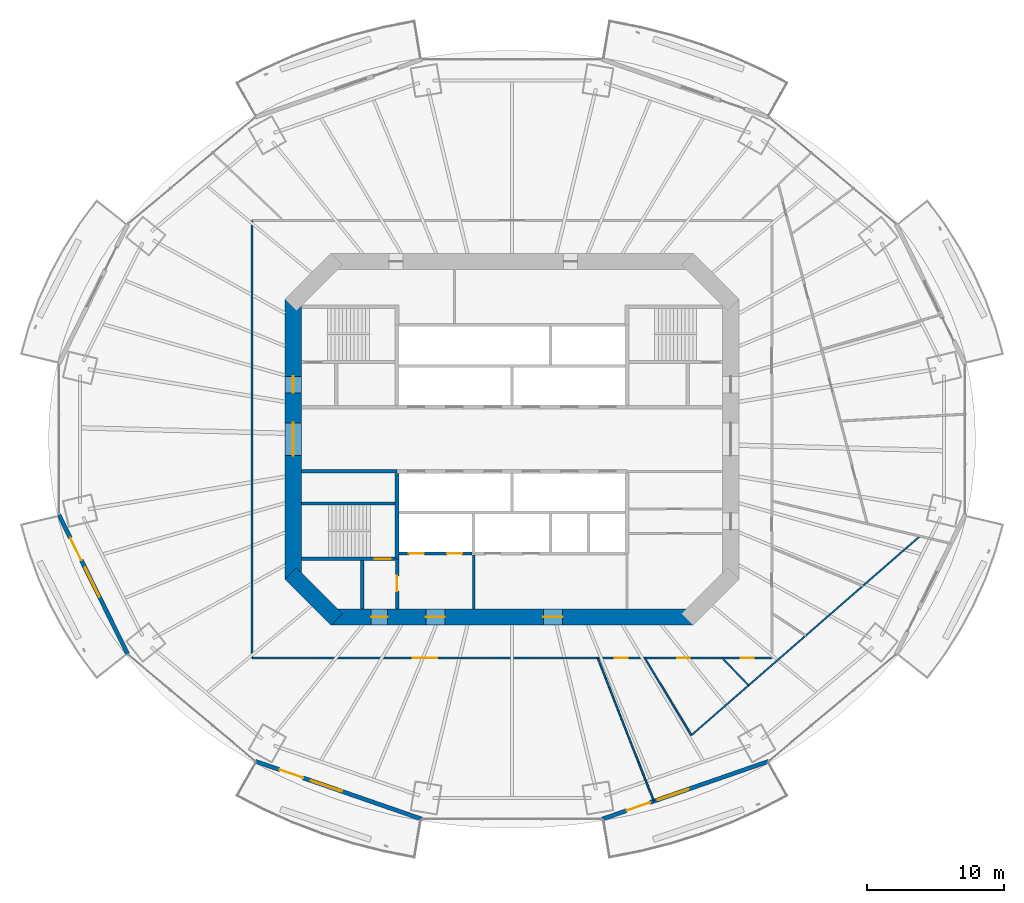
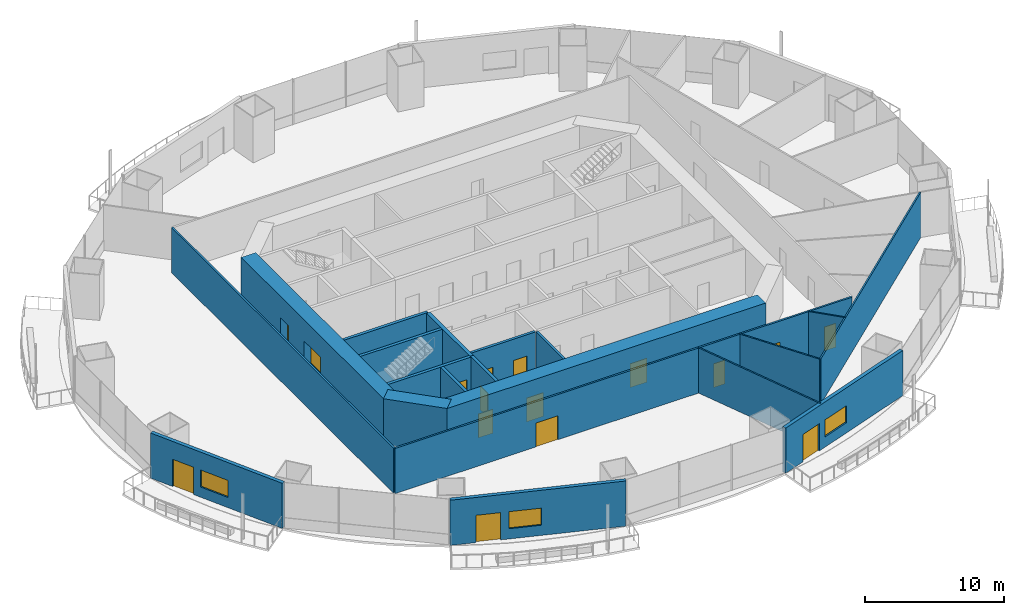
# One storey, part 13 of 21: 20 walls, 16 doors, 3 windows, 19 openings.
"""IFC4 building model written with IfcOpenShell, lengths in metres."""

from ifc_helpers import new_model, si_unit, direction, frame, frame_2d, origin, place, context, subcontext, project, spatial, rectangle, extrude, material, layer, layer_set, type_object, element, fill, save


model = new_model("IFC4")

# Units and contexts
model_context = context("Model", 3, precision=1e-05, world=origin(), true_north=direction((0.0, 1.0)))
body_context = subcontext(model_context, "Body", "Model", "MODEL_VIEW")
ifc_project = project(units=[si_unit("LENGTHUNIT", "METRE"), si_unit("AREAUNIT", "SQUARE_METRE"), si_unit("VOLUMEUNIT", "CUBIC_METRE"), si_unit("PLANEANGLEUNIT", "RADIAN"), si_unit("MASSUNIT", "GRAM", prefix="KILO")], contexts=[model_context])

# Site, building, storey
site_placement = place(None, origin())
site = spatial("IfcSite", under=ifc_project, at=site_placement, CompositionType="ELEMENT")
building_placement = place(site_placement, origin())
building = spatial("IfcBuilding", under=site, at=building_placement, Name="Marenthal Gate Tower", CompositionType="ELEMENT")
storey_placement = place(building_placement, frame((0.0, 0.0, 124.300048828125)))
storey = spatial("IfcBuildingStorey", under=building, at=storey_placement, Name="L26", CompositionType="ELEMENT", Elevation=124.300048828125)

# Wall, openings, doors
ifc_material_1 = material(Name="Concrete 60 MPa", Category="concrete")
ifc_layer_1 = layer(ifc_material_1, 1.199951171875)
ifc_layer_set_1 = layer_set([ifc_layer_1], Name="Core shear wall 1200")
wall_type_1 = type_object("IfcWallType", Name="Core shear wall 1200", PredefinedType="SHEAR", material=ifc_layer_set_1)
wall_1_placement = place(storey_placement, frame((-16.0, 10.24853515625, -0.179931640625), z_axis=(0.0, 0.0, 1.0), x_axis=(0.0, -1.0, 0.0)))
wall_1 = element("IfcWall", 1, at=wall_1_placement, inside=storey, type_object=wall_type_1, Name="Core wall 06", PredefinedType="SHEAR", context=body_context, shape_type="SweptSolid", body=[
    extrude(rectangle(XDim=20.4970703125, YDim=1.199951171875, at=frame_2d((10.24853515625, 0.0))), origin(), (0.0, 0.0, 1.0), 4.14990234375),
])
opening_1_placement = place(wall_1_placement, frame((9.048583984375, 0.0, 0.179931640625)))
opening_1 = element("IfcOpeningElement", 2, at=opening_1_placement, cuts=wall_1, Name="Opening D003.01", PredefinedType="OPENING", context=body_context, shape_type="SweptSolid", body=[
    extrude(rectangle(XDim=2.39990234375, YDim=2.10009765625, at=frame_2d((1.199951171875, 1.050048828125))), frame((0.0, 0.60986328125, 0.0), z_axis=(0.0, -1.0, 0.0), x_axis=(1.0, 0.0, 0.0)), (0.0, 0.0, 1.0), 1.219970703125),
])
opening_2_placement = place(wall_1_placement, frame((5.6484375, 0.0, 0.179931640625)))
opening_2 = element("IfcOpeningElement", 3, at=opening_2_placement, cuts=wall_1, Name="Opening D001.04", PredefinedType="OPENING", context=body_context, shape_type="SweptSolid", body=[
    extrude(rectangle(XDim=1.199951171875, YDim=2.10009765625, at=frame_2d((0.60009765625, 1.050048828125))), frame((0.0, 0.60986328125, 0.0), z_axis=(0.0, -1.0, 0.0), x_axis=(1.0, 0.0, 0.0)), (0.0, 0.0, 1.0), 1.219970703125),
])
ifc_material_2 = material(Name="Steel fire door", Category="steel")
door_type_1 = type_object("IfcDoorType", Name="Double fire door FD 45 2400 x 2100", OperationType="DOUBLE_DOOR_SINGLE_SWING", PredefinedType="DOOR", material=ifc_material_2)
door_1_placement = place(opening_1_placement, origin())
door_1 = element("IfcDoor", 4, at=door_1_placement, inside=storey, type_object=door_type_1, Name="Door D003.01", OperationType="DOUBLE_DOOR_SINGLE_SWING", OverallHeight=2.10009765625, OverallWidth=2.39990234375, PredefinedType="DOOR", context=body_context, shape_type="SweptSolid", body=[
    extrude(rectangle(XDim=2.39990234375, YDim=2.10009765625, at=frame_2d((1.199951171875, 1.050048828125))), frame((0.0, 0.02490234375, 0.0), z_axis=(0.0, -1.0, 0.0), x_axis=(1.0, 0.0, 0.0)), (0.0, 0.0, 1.0), 0.050048828125),
])
fill(opening_1, door_1)
ifc_material_3 = material(Name="Steel fire door", Category="steel")
door_type_2 = type_object("IfcDoorType", Name="Fire door FD 90 1200 x 2100", OperationType="NOTDEFINED", PredefinedType="DOOR", material=ifc_material_3)
door_2_placement = place(opening_2_placement, origin())
door_2 = element("IfcDoor", 5, at=door_2_placement, inside=storey, type_object=door_type_2, Name="Door D001.04", OperationType="SINGLE_SWING_RIGHT", OverallHeight=2.10009765625, OverallWidth=1.199951171875, PredefinedType="DOOR", context=body_context, shape_type="SweptSolid", body=[
    extrude(rectangle(XDim=1.199951171875, YDim=2.10009765625, at=frame_2d((0.60009765625, 1.050048828125))), frame((0.0, 0.02490234375, 0.0), z_axis=(0.0, -1.0, 0.0), x_axis=(1.0, 0.0, 0.0)), (0.0, 0.0, 1.0), 0.050048828125),
])
fill(opening_2, door_2)

# Wall
wall_2_placement = place(storey_placement, frame((-16.17578125, -9.82421875, -0.179931640625), z_axis=(0.0, 0.0, 1.0), x_axis=(0.707106781187, -0.707106781187, 0.0)))
element("IfcWall", 6, at=wall_2_placement, inside=storey, type_object=wall_type_1, Name="Core wall 07", PredefinedType="SHEAR", context=body_context, shape_type="SweptSolid", body=[
    extrude(rectangle(XDim=4.73974609375, YDim=1.199951171875, at=frame_2d((2.369873046875, 0.0))), origin(), (0.0, 0.0, 1.0), 4.14990234375),
])

# Wall, openings, doors
wall_3_placement = place(storey_placement, frame((-13.24853515625, -13.0, -0.179931640625), z_axis=(0.0, 0.0, 1.0), x_axis=(1.0, 0.0, 0.0)))
wall_3 = element("IfcWall", 7, at=wall_3_placement, inside=storey, type_object=wall_type_1, Name="Core wall 08", PredefinedType="SHEAR", context=body_context, shape_type="SweptSolid", body=[
    extrude(rectangle(XDim=26.4970703125, YDim=1.199951171875, at=frame_2d((13.24853515625, 0.0))), origin(), (0.0, 0.0, 1.0), 4.14990234375),
])
opening_3_placement = place(wall_3_placement, frame((2.948486328125, 0.0, 0.179931640625)))
opening_3 = element("IfcOpeningElement", 8, at=opening_3_placement, cuts=wall_3, Name="Opening D001.06", PredefinedType="OPENING", context=body_context, shape_type="SweptSolid", body=[
    extrude(rectangle(XDim=1.199951171875, YDim=2.10009765625, at=frame_2d((0.60009765625, 1.050048828125))), frame((0.0, 0.60986328125, 0.0), z_axis=(0.0, -1.0, 0.0), x_axis=(1.0, 0.0, 0.0)), (0.0, 0.0, 1.0), 1.219970703125),
])
opening_4_placement = place(wall_3_placement, frame((6.948486328125, 0.0, 0.179931640625)))
opening_4 = element("IfcOpeningElement", 9, at=opening_4_placement, cuts=wall_3, Name="Opening D004.01", PredefinedType="OPENING", context=body_context, shape_type="SweptSolid", body=[
    extrude(rectangle(XDim=1.39990234375, YDim=2.10009765625, at=frame_2d((0.699951171875, 1.050048828125))), frame((0.0, 0.60986328125, 0.0), z_axis=(0.0, -1.0, 0.0), x_axis=(1.0, 0.0, 0.0)), (0.0, 0.0, 1.0), 1.219970703125),
])
opening_5_placement = place(wall_3_placement, frame((15.548583984375, 0.0, 0.179931640625)))
opening_5 = element("IfcOpeningElement", 10, at=opening_5_placement, cuts=wall_3, Name="Opening D004.02", PredefinedType="OPENING", context=body_context, shape_type="SweptSolid", body=[
    extrude(rectangle(XDim=1.39990234375, YDim=2.10009765625, at=frame_2d((0.699951171875, 1.050048828125))), frame((0.0, 0.60986328125, 0.0), z_axis=(0.0, -1.0, 0.0), x_axis=(1.0, 0.0, 0.0)), (0.0, 0.0, 1.0), 1.219970703125),
])
ifc_material_4 = material(Name="Steel fire door", Category="steel")
door_type_3 = type_object("IfcDoorType", Name="Fire door FD 45 1400 x 2100", OperationType="NOTDEFINED", PredefinedType="DOOR", material=ifc_material_4)
door_3_placement = place(opening_4_placement, origin())
door_3 = element("IfcDoor", 11, at=door_3_placement, inside=storey, type_object=door_type_3, Name="Door D004.01", OperationType="SINGLE_SWING_RIGHT", OverallHeight=2.10009765625, OverallWidth=1.39990234375, PredefinedType="DOOR", context=body_context, shape_type="SweptSolid", body=[
    extrude(rectangle(XDim=1.39990234375, YDim=2.10009765625, at=frame_2d((0.699951171875, 1.050048828125))), frame((0.0, 0.02490234375, 0.0), z_axis=(0.0, -1.0, 0.0), x_axis=(1.0, 0.0, 0.0)), (0.0, 0.0, 1.0), 0.050048828125),
])
fill(opening_4, door_3)
door_4_placement = place(opening_5_placement, origin())
door_4 = element("IfcDoor", 12, at=door_4_placement, inside=storey, type_object=door_type_3, Name="Door D004.02", OperationType="SINGLE_SWING_RIGHT", OverallHeight=2.10009765625, OverallWidth=1.39990234375, PredefinedType="DOOR", context=body_context, shape_type="SweptSolid", body=[
    extrude(rectangle(XDim=1.39990234375, YDim=2.10009765625, at=frame_2d((0.699951171875, 1.050048828125))), frame((0.0, 0.02490234375, 0.0), z_axis=(0.0, -1.0, 0.0), x_axis=(1.0, 0.0, 0.0)), (0.0, 0.0, 1.0), 0.050048828125),
])
fill(opening_5, door_4)
door_5_placement = place(opening_3_placement, origin())
door_5 = element("IfcDoor", 13, at=door_5_placement, inside=storey, type_object=door_type_2, Name="Door D001.06", OperationType="SINGLE_SWING_RIGHT", OverallHeight=2.10009765625, OverallWidth=1.199951171875, PredefinedType="DOOR", context=body_context, shape_type="SweptSolid", body=[
    extrude(rectangle(XDim=1.199951171875, YDim=2.10009765625, at=frame_2d((0.60009765625, 1.050048828125))), frame((0.0, 0.02490234375, 0.0), z_axis=(0.0, -1.0, 0.0), x_axis=(1.0, 0.0, 0.0)), (0.0, 0.0, 1.0), 0.050048828125),
])
fill(opening_3, door_5)

# Walls
ifc_material_5 = material(Name="Gypsum board on steel studs", Category="steel")
ifc_layer_2 = layer(ifc_material_5, 0.199951171875)
ifc_layer_set_2 = layer_set([ifc_layer_2], Name="Fire lobby wall 200")
wall_type_2 = type_object("IfcWallType", Name="Fire lobby wall 200", PredefinedType="PARTITIONING", material=ifc_layer_set_2)
wall_4_placement = place(storey_placement, frame((-2.800048828125, -12.39990234375, 0.0), z_axis=(0.0, 0.0, 1.0), x_axis=(0.0, 1.0, 0.0)))
element("IfcWall", 14, at=wall_4_placement, inside=storey, type_object=wall_type_2, Name="Fire wall 35", PredefinedType="PARTITIONING", context=body_context, shape_type="SweptSolid", body=[
    extrude(rectangle(XDim=3.93994140625, YDim=0.199951171875, at=frame_2d((1.969970703125, 0.0))), origin(), (0.0, 0.0, 1.0), 3.969970703125),
])
ifc_material_6 = material(Name="Concrete 50 MPa", Category="concrete")
ifc_layer_3 = layer(ifc_material_6, 0.300048828125)
ifc_layer_set_3 = layer_set([ifc_layer_3], Name="Hoistway shear wall 300")
wall_type_3 = type_object("IfcWallType", Name="Hoistway shear wall 300", PredefinedType="SHEAR", material=ifc_layer_set_3)
wall_5_placement = place(storey_placement, frame((-8.39990234375, -8.75, -0.179931640625), z_axis=(0.0, 0.0, 1.0), x_axis=(0.0, 1.0, 0.0)))
element("IfcWall", 15, at=wall_5_placement, inside=storey, type_object=wall_type_3, Name="Hoistway wall 31", PredefinedType="SHEAR", context=body_context, shape_type="SweptSolid", body=[
    extrude(rectangle(XDim=6.25, YDim=0.300048828125, at=frame_2d((3.125, 0.0))), origin(), (0.0, 0.0, 1.0), 4.14990234375),
])

# Wall, openings, doors
ifc_material_7 = material(Name="Concrete 40 MPa", Category="concrete")
ifc_layer_4 = layer(ifc_material_7, 0.219970703125)
ifc_layer_set_4 = layer_set([ifc_layer_4], Name="Hoistway wall 220")
wall_type_4 = type_object("IfcWallType", Name="Hoistway wall 220", PredefinedType="STANDARD", material=ifc_layer_set_4)
wall_6_placement = place(storey_placement, frame((-8.25, -8.35009765625, 0.0), z_axis=(0.0, 0.0, 1.0), x_axis=(1.0, 0.0, 0.0)))
wall_6 = element("IfcWall", 16, at=wall_6_placement, inside=storey, type_object=wall_type_4, Name="Hoistway wall 10", PredefinedType="STANDARD", context=body_context, shape_type="SweptSolid", body=[
    extrude(rectangle(XDim=5.340087890625, YDim=0.219970703125, at=frame_2d((2.669921875, 0.0))), origin(), (0.0, 0.0, 1.0), 3.969970703125),
])
opening_6_placement = place(wall_6_placement, frame((0.699951171875, 0.0, 0.0)))
opening_6 = element("IfcOpeningElement", 17, at=opening_6_placement, cuts=wall_6, Name="Opening LD-LF1", PredefinedType="OPENING", context=body_context, shape_type="SweptSolid", body=[
    extrude(rectangle(XDim=1.10009765625, YDim=2.10009765625, at=frame_2d((0.550048828125, 1.050048828125))), frame((0.0, 0.1201171875, 0.0), z_axis=(0.0, -1.0, 0.0), x_axis=(1.0, 0.0, 0.0)), (0.0, 0.0, 1.0), 0.239990234375),
])
opening_7_placement = place(wall_6_placement, frame((3.5, 0.0, 0.0)))
opening_7 = element("IfcOpeningElement", 18, at=opening_7_placement, cuts=wall_6, Name="Opening LD-LF2", PredefinedType="OPENING", context=body_context, shape_type="SweptSolid", body=[
    extrude(rectangle(XDim=1.10009765625, YDim=2.10009765625, at=frame_2d((0.550048828125, 1.050048828125))), frame((0.0, 0.1201171875, 0.0), z_axis=(0.0, -1.0, 0.0), x_axis=(1.0, 0.0, 0.0)), (0.0, 0.0, 1.0), 0.239990234375),
])
ifc_material_8 = material(Name="Stainless steel sliding door", Category="steel")
door_type_4 = type_object("IfcDoorType", Name="Lift landing door FD 90 1100 x 2100", OperationType="DOUBLE_DOOR_SLIDING", PredefinedType="DOOR", material=ifc_material_8)
door_6_placement = place(opening_6_placement, origin())
door_6 = element("IfcDoor", 19, at=door_6_placement, inside=storey, type_object=door_type_4, Name="Lift landing door LF1", OperationType="DOUBLE_DOOR_SLIDING", OverallHeight=2.10009765625, OverallWidth=1.10009765625, PredefinedType="DOOR", context=body_context, shape_type="SweptSolid", body=[
    extrude(rectangle(XDim=1.10009765625, YDim=2.10009765625, at=frame_2d((0.550048828125, 1.050048828125))), frame((0.0, 0.02490234375, 0.0), z_axis=(0.0, -1.0, 0.0), x_axis=(1.0, 0.0, 0.0)), (0.0, 0.0, 1.0), 0.050048828125),
])
fill(opening_6, door_6)
door_7_placement = place(opening_7_placement, origin())
door_7 = element("IfcDoor", 20, at=door_7_placement, inside=storey, type_object=door_type_4, Name="Lift landing door LF2", OperationType="DOUBLE_DOOR_SLIDING", OverallHeight=2.10009765625, OverallWidth=1.10009765625, PredefinedType="DOOR", context=body_context, shape_type="SweptSolid", body=[
    extrude(rectangle(XDim=1.10009765625, YDim=2.10009765625, at=frame_2d((0.550048828125, 1.050048828125))), frame((0.0, 0.02490234375, 0.0), z_axis=(0.0, -1.0, 0.0), x_axis=(1.0, 0.0, 0.0)), (0.0, 0.0, 1.0), 0.050048828125),
])
fill(opening_7, door_7)

# Walls
ifc_material_9 = material(Name="Gypsum board on steel studs", Category="steel")
ifc_layer_5 = layer(ifc_material_9, 0.1201171875)
ifc_layer_set_5 = layer_set([ifc_layer_5], Name="Partition 120")
wall_type_5 = type_object("IfcWallType", Name="Partition 120", PredefinedType="PARTITIONING", material=ifc_layer_set_5)
wall_7_placement = place(storey_placement, frame((6.26904296875, -16.0, 0.0), z_axis=(0.0, 0.0, 1.0), x_axis=(0.364805509502, -0.931083745018, 0.0)))
element("IfcWall", 21, at=wall_7_placement, inside=storey, type_object=wall_type_5, Name="Partition wall 50", PredefinedType="PARTITIONING", context=body_context, shape_type="SweptSolid", body=[
    extrude(rectangle(XDim=11.240478515625, YDim=0.1201171875, at=frame_2d((5.6201171875, 0.0))), origin(), (0.0, 0.0, 1.0), 3.969970703125),
])
wall_8_placement = place(storey_placement, frame((13.123291015625, -21.637939453125, 0.0), z_axis=(0.0, 0.0, 1.0), x_axis=(0.754100434229, 0.65675911497, 0.0)))
element("IfcWall", 22, at=wall_8_placement, inside=storey, type_object=wall_type_5, Name="Partition wall 51", PredefinedType="PARTITIONING", context=body_context, shape_type="SweptSolid", body=[
    extrude(rectangle(XDim=22.154052734375, YDim=0.1201171875, at=frame_2d((11.0771484375, 0.0))), origin(), (0.0, 0.0, 1.0), 3.969970703125),
])
wall_9_placement = place(storey_placement, frame((13.123291015625, -21.637939453125, 0.0), z_axis=(0.0, 0.0, 1.0), x_axis=(-0.518579044336, 0.855029692336, 0.0)))
element("IfcWall", 23, at=wall_9_placement, inside=storey, type_object=wall_type_5, Name="Partition wall 52", PredefinedType="PARTITIONING", context=body_context, shape_type="SweptSolid", body=[
    extrude(rectangle(XDim=6.59375, YDim=0.1201171875, at=frame_2d((3.296875, 0.0))), origin(), (0.0, 0.0, 1.0), 3.969970703125),
])
wall_10_placement = place(storey_placement, frame((17.2998046875, -18.00048828125, 0.0), z_axis=(0.0, 0.0, 1.0), x_axis=(-0.69293284795, 0.721002127759, 0.0)))
element("IfcWall", 24, at=wall_10_placement, inside=storey, type_object=wall_type_5, Name="Partition wall 54", PredefinedType="PARTITIONING", context=body_context, shape_type="SweptSolid", body=[
    extrude(rectangle(XDim=2.774658203125, YDim=0.1201171875, at=frame_2d((1.38720703125, 0.0))), origin(), (0.0, 0.0, 1.0), 3.969970703125),
])
ifc_material_10 = material(Name="Gypsum board on steel studs", Category="steel")
ifc_layer_6 = layer(ifc_material_10, 0.14990234375)
ifc_layer_set_6 = layer_set([ifc_layer_6], Name="Partition 150")
wall_type_6 = type_object("IfcWallType", Name="Partition 150", PredefinedType="PARTITIONING", material=ifc_layer_set_6)
wall_11_placement = place(storey_placement, frame((-19.0, -16.0, 0.0), z_axis=(0.0, 0.0, 1.0), x_axis=(0.0, 1.0, 0.0)))
element("IfcWall", 25, at=wall_11_placement, inside=storey, type_object=wall_type_6, Name="Partition wall 47", PredefinedType="PARTITIONING", context=body_context, shape_type="SweptSolid", body=[
    extrude(rectangle(XDim=32.0, YDim=0.14990234375, at=frame_2d((16.0, 0.0))), origin(), (0.0, 0.0, 1.0), 3.969970703125),
])

# Wall, openings, doors
wall_12_placement = place(storey_placement, frame((19.0, -16.0, 0.0), z_axis=(0.0, 0.0, 1.0), x_axis=(-1.0, 0.0, 0.0)))
wall_12 = element("IfcWall", 26, at=wall_12_placement, inside=storey, type_object=wall_type_6, Name="Partition wall 55", PredefinedType="PARTITIONING", context=body_context, shape_type="SweptSolid", body=[
    extrude(rectangle(XDim=38.0, YDim=0.14990234375, at=frame_2d((19.0, 0.0))), origin(), (0.0, 0.0, 1.0), 3.969970703125),
])
opening_8_placement = place(wall_12_placement, frame((24.465087890625, 0.0, 0.0)))
opening_8 = element("IfcOpeningElement", 27, at=opening_8_placement, cuts=wall_12, Name="Opening D014.02", PredefinedType="OPENING", context=body_context, shape_type="SweptSolid", body=[
    extrude(rectangle(XDim=1.800048828125, YDim=2.10009765625, at=frame_2d((0.89990234375, 1.050048828125))), frame((0.0, 0.0849609375, 0.0), z_axis=(0.0, -1.0, 0.0), x_axis=(1.0, 0.0, 0.0)), (0.0, 0.0, 1.0), 0.169921875),
])
opening_9_placement = place(wall_12_placement, frame((5.98388671875, 0.0, 0.0)))
opening_9 = element("IfcOpeningElement", 28, at=opening_9_placement, cuts=wall_12, Name="Opening D016.01", PredefinedType="OPENING", context=body_context, shape_type="SweptSolid", body=[
    extrude(rectangle(XDim=0.949951171875, YDim=2.10009765625, at=frame_2d((0.47509765625, 1.050048828125))), frame((0.0, 0.0849609375, 0.0), z_axis=(0.0, -1.0, 0.0), x_axis=(1.0, 0.0, 0.0)), (0.0, 0.0, 1.0), 0.169921875),
])
opening_10_placement = place(wall_12_placement, frame((1.3359375, 0.0, 0.0)))
opening_10 = element("IfcOpeningElement", 29, at=opening_10_placement, cuts=wall_12, Name="Opening D016.02", PredefinedType="OPENING", context=body_context, shape_type="SweptSolid", body=[
    extrude(rectangle(XDim=0.949951171875, YDim=2.10009765625, at=frame_2d((0.47509765625, 1.050048828125))), frame((0.0, 0.0849609375, 0.0), z_axis=(0.0, -1.0, 0.0), x_axis=(1.0, 0.0, 0.0)), (0.0, 0.0, 1.0), 0.169921875),
])
opening_11_placement = place(wall_12_placement, frame((10.5380859375, 0.0, 0.0)))
opening_11 = element("IfcOpeningElement", 30, at=opening_11_placement, cuts=wall_12, Name="Opening D016.05", PredefinedType="OPENING", context=body_context, shape_type="SweptSolid", body=[
    extrude(rectangle(XDim=0.949951171875, YDim=2.10009765625, at=frame_2d((0.47509765625, 1.050048828125))), frame((0.0, 0.0849609375, 0.0), z_axis=(0.0, -1.0, 0.0), x_axis=(1.0, 0.0, 0.0)), (0.0, 0.0, 1.0), 0.169921875),
])
ifc_material_11 = material(Name="Timber door", Category="wood")
door_type_5 = type_object("IfcDoorType", Name="Door 950 x 2100", OperationType="NOTDEFINED", PredefinedType="DOOR", material=ifc_material_11)
door_8_placement = place(opening_9_placement, origin())
door_8 = element("IfcDoor", 31, at=door_8_placement, inside=storey, type_object=door_type_5, Name="Door D016.01", OperationType="SINGLE_SWING_RIGHT", OverallHeight=2.10009765625, OverallWidth=0.949951171875, PredefinedType="DOOR", context=body_context, shape_type="SweptSolid", body=[
    extrude(rectangle(XDim=0.949951171875, YDim=2.10009765625, at=frame_2d((0.47509765625, 1.050048828125))), frame((0.0, 0.02490234375, 0.0), z_axis=(0.0, -1.0, 0.0), x_axis=(1.0, 0.0, 0.0)), (0.0, 0.0, 1.0), 0.050048828125),
])
fill(opening_9, door_8)
door_9_placement = place(opening_10_placement, origin())
door_9 = element("IfcDoor", 32, at=door_9_placement, inside=storey, type_object=door_type_5, Name="Door D016.02", OperationType="SINGLE_SWING_RIGHT", OverallHeight=2.10009765625, OverallWidth=0.949951171875, PredefinedType="DOOR", context=body_context, shape_type="SweptSolid", body=[
    extrude(rectangle(XDim=0.949951171875, YDim=2.10009765625, at=frame_2d((0.47509765625, 1.050048828125))), frame((0.0, 0.02490234375, 0.0), z_axis=(0.0, -1.0, 0.0), x_axis=(1.0, 0.0, 0.0)), (0.0, 0.0, 1.0), 0.050048828125),
])
fill(opening_10, door_9)
door_10_placement = place(opening_11_placement, origin())
door_10 = element("IfcDoor", 33, at=door_10_placement, inside=storey, type_object=door_type_5, Name="Door D016.05", OperationType="SINGLE_SWING_RIGHT", OverallHeight=2.10009765625, OverallWidth=0.949951171875, PredefinedType="DOOR", context=body_context, shape_type="SweptSolid", body=[
    extrude(rectangle(XDim=0.949951171875, YDim=2.10009765625, at=frame_2d((0.47509765625, 1.050048828125))), frame((0.0, 0.02490234375, 0.0), z_axis=(0.0, -1.0, 0.0), x_axis=(1.0, 0.0, 0.0)), (0.0, 0.0, 1.0), 0.050048828125),
])
fill(opening_11, door_10)
ifc_material_12 = material(Name="Timber door", Category="wood")
door_type_6 = type_object("IfcDoorType", Name="Double door 1800 x 2100", OperationType="DOUBLE_DOOR_SINGLE_SWING", PredefinedType="DOOR", material=ifc_material_12)
door_11_placement = place(opening_8_placement, origin())
door_11 = element("IfcDoor", 34, at=door_11_placement, inside=storey, type_object=door_type_6, Name="Door D014.02", OperationType="DOUBLE_DOOR_SINGLE_SWING", OverallHeight=2.10009765625, OverallWidth=1.800048828125, PredefinedType="DOOR", context=body_context, shape_type="SweptSolid", body=[
    extrude(rectangle(XDim=1.800048828125, YDim=2.10009765625, at=frame_2d((0.89990234375, 1.050048828125))), frame((0.0, 0.02490234375, 0.0), z_axis=(0.0, -1.0, 0.0), x_axis=(1.0, 0.0, 0.0)), (0.0, 0.0, 1.0), 0.050048828125),
])
fill(opening_8, door_11)

# Walls
ifc_material_13 = material(Name="Concrete 40 MPa", Category="concrete")
ifc_layer_7 = layer(ifc_material_13, 0.25)
ifc_layer_set_7 = layer_set([ifc_layer_7], Name="Stair enclosure wall 250")
wall_type_7 = type_object("IfcWallType", Name="Stair enclosure wall 250", PredefinedType="STANDARD", material=ifc_layer_set_7)
wall_13_placement = place(storey_placement, frame((-15.39990234375, -2.35009765625, 0.0), z_axis=(0.0, 0.0, 1.0), x_axis=(1.0, 0.0, 0.0)))
element("IfcWall", 35, at=wall_13_placement, inside=storey, type_object=wall_type_7, Name="Stair wall 16", PredefinedType="STANDARD", context=body_context, shape_type="SweptSolid", body=[
    extrude(rectangle(XDim=7.0, YDim=0.25, at=frame_2d((3.5, 0.0))), origin(), (0.0, 0.0, 1.0), 3.969970703125),
])
wall_14_placement = place(storey_placement, frame((-10.949951171875, -12.39990234375, 0.0), z_axis=(0.0, 0.0, 1.0), x_axis=(0.0, 1.0, 0.0)))
element("IfcWall", 36, at=wall_14_placement, inside=storey, type_object=wall_type_7, Name="Stair wall 29", PredefinedType="STANDARD", context=body_context, shape_type="SweptSolid", body=[
    extrude(rectangle(XDim=3.52490234375, YDim=0.25, at=frame_2d((1.762451171875, 0.0))), origin(), (0.0, 0.0, 1.0), 3.969970703125),
])

# Wall, opening, door
wall_15_placement = place(storey_placement, frame((-8.39990234375, -12.39990234375, 0.0), z_axis=(0.0, 0.0, 1.0), x_axis=(0.0, 1.0, 0.0)))
wall_15 = element("IfcWall", 37, at=wall_15_placement, inside=storey, type_object=wall_type_7, Name="Stair wall 30", PredefinedType="STANDARD", context=body_context, shape_type="SweptSolid", body=[
    extrude(rectangle(XDim=3.64990234375, YDim=0.25, at=frame_2d((1.824951171875, 0.0))), origin(), (0.0, 0.0, 1.0), 3.969970703125),
])
opening_12_placement = place(wall_15_placement, frame((1.300048828125, 0.0, 0.0)))
opening_12 = element("IfcOpeningElement", 38, at=opening_12_placement, cuts=wall_15, Name="Opening D002.01", PredefinedType="OPENING", context=body_context, shape_type="SweptSolid", body=[
    extrude(rectangle(XDim=1.10009765625, YDim=2.10009765625, at=frame_2d((0.550048828125, 1.050048828125))), frame((0.0, 0.135009765625, 0.0), z_axis=(0.0, -1.0, 0.0), x_axis=(1.0, 0.0, 0.0)), (0.0, 0.0, 1.0), 0.27001953125),
])
ifc_material_14 = material(Name="Steel fire door", Category="steel")
door_type_7 = type_object("IfcDoorType", Name="Fire door FD 90 1100 x 2100", OperationType="NOTDEFINED", PredefinedType="DOOR", material=ifc_material_14)
door_12_placement = place(opening_12_placement, origin())
door_12 = element("IfcDoor", 39, at=door_12_placement, inside=storey, type_object=door_type_7, Name="Door D002.01", OperationType="SINGLE_SWING_RIGHT", OverallHeight=2.10009765625, OverallWidth=1.10009765625, PredefinedType="DOOR", context=body_context, shape_type="SweptSolid", body=[
    extrude(rectangle(XDim=1.10009765625, YDim=2.10009765625, at=frame_2d((0.550048828125, 1.050048828125))), frame((0.0, 0.02490234375, 0.0), z_axis=(0.0, -1.0, 0.0), x_axis=(1.0, 0.0, 0.0)), (0.0, 0.0, 1.0), 0.050048828125),
])
fill(opening_12, door_12)

ifc_material_15 = material(Name="Concrete 50 MPa", Category="concrete")
ifc_layer_8 = layer(ifc_material_15, 0.25)
ifc_layer_set_8 = layer_set([ifc_layer_8], Name="Stair shear wall 250")
wall_type_8 = type_object("IfcWallType", Name="Stair shear wall 250", PredefinedType="SHEAR", material=ifc_layer_set_8)
wall_16_placement = place(storey_placement, frame((-15.39990234375, -8.75, -0.179931640625), z_axis=(0.0, 0.0, 1.0), x_axis=(1.0, 0.0, 0.0)))
wall_16 = element("IfcWall", 40, at=wall_16_placement, inside=storey, type_object=wall_type_8, Name="Stair wall 09", PredefinedType="SHEAR", context=body_context, shape_type="SweptSolid", body=[
    extrude(rectangle(XDim=6.849853515625, YDim=0.25, at=frame_2d((3.4248046875, 0.0))), origin(), (0.0, 0.0, 1.0), 4.14990234375),
])
opening_13_placement = place(wall_16_placement, frame((5.35009765625, 0.0, 0.179931640625)))
opening_13 = element("IfcOpeningElement", 41, at=opening_13_placement, cuts=wall_16, Name="Opening D001.03", PredefinedType="OPENING", context=body_context, shape_type="SweptSolid", body=[
    extrude(rectangle(XDim=1.199951171875, YDim=2.10009765625, at=frame_2d((0.60009765625, 1.050048828125))), frame((0.0, 0.135009765625, 0.0), z_axis=(0.0, -1.0, 0.0), x_axis=(1.0, 0.0, 0.0)), (0.0, 0.0, 1.0), 0.27001953125),
])
door_13_placement = place(opening_13_placement, origin())
door_13 = element("IfcDoor", 42, at=door_13_placement, inside=storey, type_object=door_type_2, Name="Door D001.03", OperationType="SINGLE_SWING_RIGHT", OverallHeight=2.10009765625, OverallWidth=1.199951171875, PredefinedType="DOOR", context=body_context, shape_type="SweptSolid", body=[
    extrude(rectangle(XDim=1.199951171875, YDim=2.10009765625, at=frame_2d((0.60009765625, 1.050048828125))), frame((0.0, 0.02490234375, 0.0), z_axis=(0.0, -1.0, 0.0), x_axis=(1.0, 0.0, 0.0)), (0.0, 0.0, 1.0), 0.050048828125),
])
fill(opening_13, door_13)

# Wall
wall_17_placement = place(storey_placement, frame((-15.39990234375, -4.699951171875, -0.179931640625), z_axis=(0.0, 0.0, 1.0), x_axis=(1.0, 0.0, 0.0)))
element("IfcWall", 43, at=wall_17_placement, inside=storey, type_object=wall_type_8, Name="Stair wall 15", PredefinedType="SHEAR", context=body_context, shape_type="SweptSolid", body=[
    extrude(rectangle(XDim=6.849853515625, YDim=0.25, at=frame_2d((3.4248046875, 0.0))), origin(), (0.0, 0.0, 1.0), 4.14990234375),
])

# Wall, openings, door, window
ifc_material_16 = material(Name="Terracotta cladding on insulated concrete-block backing", Category="masonry")
ifc_layer_9 = layer(ifc_material_16, 0.300048828125)
ifc_layer_set_9 = layer_set([ifc_layer_9], Name="Terracotta facade wall 300")
wall_type_9 = type_object("IfcWallType", Name="Terracotta facade wall 300", PredefinedType="SOLIDWALL", material=ifc_layer_set_9)
wall_18_placement = place(storey_placement, frame((-33.134765625, -5.525390625, 0.0), z_axis=(0.0, 0.0, 1.0), x_axis=(0.442972236493, -0.896535329865, 0.0)))
wall_18 = element("IfcWall", 44, at=wall_18_placement, inside=storey, type_object=wall_type_9, Name="Terracotta facade wall L26 bay 9", PredefinedType="SOLIDWALL", context=body_context, shape_type="SweptSolid", body=[
    extrude(rectangle(XDim=11.3876953125, YDim=0.300048828125, at=frame_2d((5.69384765625, 0.0))), origin(), (0.0, 0.0, 1.0), 3.969970703125),
])
opening_14_placement = place(wall_18_placement, frame((1.89990234375, 0.0, 0.0)))
opening_14 = element("IfcOpeningElement", 45, at=opening_14_placement, cuts=wall_18, Name="Opening BD-L26-09", PredefinedType="OPENING", context=body_context, shape_type="SweptSolid", body=[
    extrude(rectangle(XDim=1.800048828125, YDim=2.39990234375, at=frame_2d((0.89990234375, 1.199951171875))), frame((0.0, 0.16015625, 0.0), z_axis=(0.0, -1.0, 0.0), x_axis=(1.0, 0.0, 0.0)), (0.0, 0.0, 1.0), 0.320068359375),
])
opening_15_placement = place(wall_18_placement, frame((4.300048828125, 0.0, 0.89990234375)))
opening_15 = element("IfcOpeningElement", 46, at=opening_15_placement, cuts=wall_18, Name="Opening WN1-L26-09", PredefinedType="OPENING", context=body_context, shape_type="SweptSolid", body=[
    extrude(rectangle(XDim=2.39990234375, YDim=1.5, at=frame_2d((1.199951171875, 0.75))), frame((0.0, 0.16015625, 0.0), z_axis=(0.0, -1.0, 0.0), x_axis=(1.0, 0.0, 0.0)), (0.0, 0.0, 1.0), 0.320068359375),
])
ifc_material_17 = material(Name="Aluminium and glass", Category="aluminium")
door_type_8 = type_object("IfcDoorType", Name="Balcony door 1800x2400", OperationType="DOUBLE_DOOR_SINGLE_SWING", PredefinedType="DOOR", material=ifc_material_17)
door_14_placement = place(opening_14_placement, origin())
door_14 = element("IfcDoor", 47, at=door_14_placement, inside=storey, type_object=door_type_8, Name="Balcony door L26 bay 9", OperationType="SINGLE_SWING_LEFT", OverallHeight=2.39990234375, OverallWidth=1.800048828125, PredefinedType="DOOR", context=body_context, shape_type="SweptSolid", body=[
    extrude(rectangle(XDim=1.800048828125, YDim=2.39990234375, at=frame_2d((0.89990234375, 1.199951171875))), frame((0.0, 0.02490234375, 0.0), z_axis=(0.0, -1.0, 0.0), x_axis=(1.0, 0.0, 0.0)), (0.0, 0.0, 1.0), 0.050048828125),
])
fill(opening_14, door_14)
ifc_material_18 = material(Name="Aluminium and glass", Category="aluminium")
window_type = type_object("IfcWindowType", Name="Window 2400x1500", PartitioningType="TRIPLE_PANEL_VERTICAL", PredefinedType="WINDOW", material=ifc_material_18)
window_1_placement = place(opening_15_placement, origin())
window_1 = element("IfcWindow", 48, at=window_1_placement, inside=storey, type_object=window_type, Name="Window L26 bay 9", OverallHeight=1.5, OverallWidth=2.39990234375, PartitioningType="SINGLE_PANEL", PredefinedType="WINDOW", context=body_context, shape_type="SweptSolid", body=[
    extrude(rectangle(XDim=2.39990234375, YDim=1.5, at=frame_2d((1.199951171875, 0.75))), frame((0.0, 0.030029296875, 0.0), z_axis=(0.0, -1.0, 0.0), x_axis=(1.0, 0.0, 0.0)), (0.0, 0.0, 1.0), 0.06005859375),
])
fill(opening_15, window_1)

wall_19_placement = place(storey_placement, frame((-18.769287109375, -23.548828125, 0.0), z_axis=(0.0, 0.0, 1.0), x_axis=(0.944664780262, -0.328037273694, 0.0)))
wall_19 = element("IfcWall", 49, at=wall_19_placement, inside=storey, type_object=wall_type_9, Name="Terracotta facade wall L26 bay 11", PredefinedType="SOLIDWALL", context=body_context, shape_type="SweptSolid", body=[
    extrude(rectangle(XDim=12.891845703125, YDim=0.300048828125, at=frame_2d((6.44580078125, 0.0))), origin(), (0.0, 0.0, 1.0), 3.969970703125),
])
opening_16_placement = place(wall_19_placement, frame((1.89990234375, 0.0, 0.0)))
opening_16 = element("IfcOpeningElement", 50, at=opening_16_placement, cuts=wall_19, Name="Opening BD-L26-11", PredefinedType="OPENING", context=body_context, shape_type="SweptSolid", body=[
    extrude(rectangle(XDim=1.800048828125, YDim=2.39990234375, at=frame_2d((0.89990234375, 1.199951171875))), frame((0.0, 0.16015625, 0.0), z_axis=(0.0, -1.0, 0.0), x_axis=(1.0, 0.0, 0.0)), (0.0, 0.0, 1.0), 0.320068359375),
])
opening_17_placement = place(wall_19_placement, frame((4.300048828125, 0.0, 0.89990234375)))
opening_17 = element("IfcOpeningElement", 51, at=opening_17_placement, cuts=wall_19, Name="Opening WN1-L26-11", PredefinedType="OPENING", context=body_context, shape_type="SweptSolid", body=[
    extrude(rectangle(XDim=2.39990234375, YDim=1.5, at=frame_2d((1.199951171875, 0.75))), frame((0.0, 0.16015625, 0.0), z_axis=(0.0, -1.0, 0.0), x_axis=(1.0, 0.0, 0.0)), (0.0, 0.0, 1.0), 0.320068359375),
])
door_15_placement = place(opening_16_placement, origin())
door_15 = element("IfcDoor", 52, at=door_15_placement, inside=storey, type_object=door_type_8, Name="Balcony door L26 bay 11", OperationType="SINGLE_SWING_LEFT", OverallHeight=2.39990234375, OverallWidth=1.800048828125, PredefinedType="DOOR", context=body_context, shape_type="SweptSolid", body=[
    extrude(rectangle(XDim=1.800048828125, YDim=2.39990234375, at=frame_2d((0.89990234375, 1.199951171875))), frame((0.0, 0.02490234375, 0.0), z_axis=(0.0, -1.0, 0.0), x_axis=(1.0, 0.0, 0.0)), (0.0, 0.0, 1.0), 0.050048828125),
])
fill(opening_16, door_15)
window_2_placement = place(opening_17_placement, origin())
window_2 = element("IfcWindow", 53, at=window_2_placement, inside=storey, type_object=window_type, Name="Window L26 bay 11", OverallHeight=1.5, OverallWidth=2.39990234375, PartitioningType="SINGLE_PANEL", PredefinedType="WINDOW", context=body_context, shape_type="SweptSolid", body=[
    extrude(rectangle(XDim=2.39990234375, YDim=1.5, at=frame_2d((1.199951171875, 0.75))), frame((0.0, 0.030029296875, 0.0), z_axis=(0.0, -1.0, 0.0), x_axis=(1.0, 0.0, 0.0)), (0.0, 0.0, 1.0), 0.06005859375),
])
fill(opening_17, window_2)

wall_20_placement = place(storey_placement, frame((6.5908203125, -27.77783203125, 0.0), z_axis=(0.0, 0.0, 1.0), x_axis=(0.944664780262, 0.328037273694, 0.0)))
wall_20 = element("IfcWall", 54, at=wall_20_placement, inside=storey, type_object=wall_type_9, Name="Terracotta facade wall L26 bay 13", PredefinedType="SOLIDWALL", context=body_context, shape_type="SweptSolid", body=[
    extrude(rectangle(XDim=12.891845703125, YDim=0.300048828125, at=frame_2d((6.44580078125, 0.0))), origin(), (0.0, 0.0, 1.0), 3.969970703125),
])
opening_18_placement = place(wall_20_placement, frame((1.89990234375, 0.0, 0.0)))
opening_18 = element("IfcOpeningElement", 55, at=opening_18_placement, cuts=wall_20, Name="Opening BD-L26-13", PredefinedType="OPENING", context=body_context, shape_type="SweptSolid", body=[
    extrude(rectangle(XDim=1.800048828125, YDim=2.39990234375, at=frame_2d((0.89990234375, 1.199951171875))), frame((0.0, 0.16015625, 0.0), z_axis=(0.0, -1.0, 0.0), x_axis=(1.0, 0.0, 0.0)), (0.0, 0.0, 1.0), 0.320068359375),
])
opening_19_placement = place(wall_20_placement, frame((4.300048828125, 0.0, 0.89990234375)))
opening_19 = element("IfcOpeningElement", 56, at=opening_19_placement, cuts=wall_20, Name="Opening WN1-L26-13", PredefinedType="OPENING", context=body_context, shape_type="SweptSolid", body=[
    extrude(rectangle(XDim=2.39990234375, YDim=1.5, at=frame_2d((1.199951171875, 0.75))), frame((0.0, 0.16015625, 0.0), z_axis=(0.0, -1.0, 0.0), x_axis=(1.0, 0.0, 0.0)), (0.0, 0.0, 1.0), 0.320068359375),
])
door_16_placement = place(opening_18_placement, origin())
door_16 = element("IfcDoor", 57, at=door_16_placement, inside=storey, type_object=door_type_8, Name="Balcony door L26 bay 13", OperationType="SINGLE_SWING_LEFT", OverallHeight=2.39990234375, OverallWidth=1.800048828125, PredefinedType="DOOR", context=body_context, shape_type="SweptSolid", body=[
    extrude(rectangle(XDim=1.800048828125, YDim=2.39990234375, at=frame_2d((0.89990234375, 1.199951171875))), frame((0.0, 0.02490234375, 0.0), z_axis=(0.0, -1.0, 0.0), x_axis=(1.0, 0.0, 0.0)), (0.0, 0.0, 1.0), 0.050048828125),
])
fill(opening_18, door_16)
window_3_placement = place(opening_19_placement, origin())
window_3 = element("IfcWindow", 58, at=window_3_placement, inside=storey, type_object=window_type, Name="Window L26 bay 13", OverallHeight=1.5, OverallWidth=2.39990234375, PartitioningType="SINGLE_PANEL", PredefinedType="WINDOW", context=body_context, shape_type="SweptSolid", body=[
    extrude(rectangle(XDim=2.39990234375, YDim=1.5, at=frame_2d((1.199951171875, 0.75))), frame((0.0, 0.030029296875, 0.0), z_axis=(0.0, -1.0, 0.0), x_axis=(1.0, 0.0, 0.0)), (0.0, 0.0, 1.0), 0.06005859375),
])
fill(opening_19, window_3)

save(model, "model.ifc")
